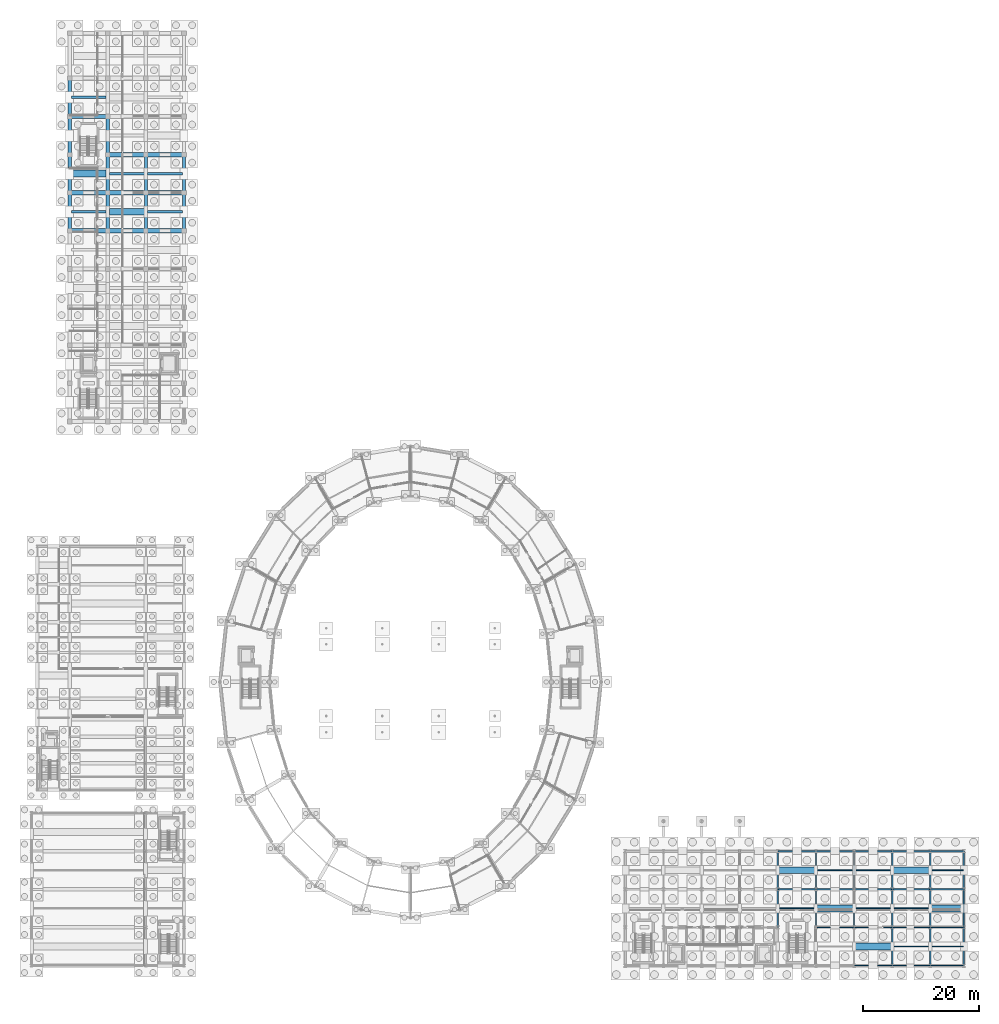
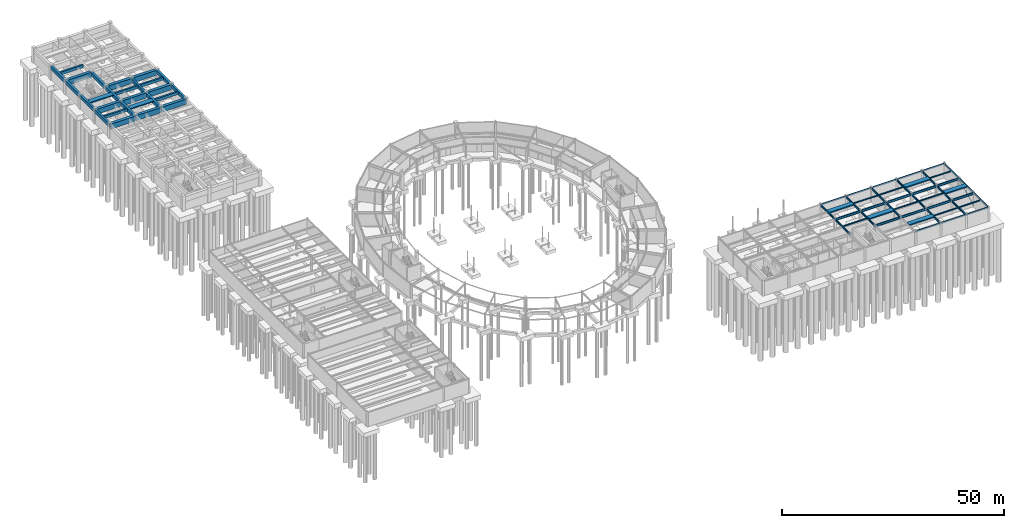
# One storey, part 28 of 58: 72 beams, 1 member.
"""IFC4 building model written with IfcOpenShell, lengths in metres."""

import ifcopenshell
import ifcopenshell.guid

model = None  # the IFC model being written
_history = None  # IfcOwnerHistory: only IFC2X3 demands one
_inside = {}  # id of a spatial element -> (the spatial element, [elements in it])
_under = {}  # id of a project, library or spatial element -> (it, [spatial elements below it])
_declared = {}  # id of a project -> (the project, [libraries it declares])
_typed = {}  # id of a type object -> (the type object, [elements of that type])
_made_of = {}  # id of a material, layer set ... -> (it, [elements and type objects made of it])


def new_model(schema):
    """Start an empty IFC model of exactly this schema.

    Asked for "IFC4X3", IfcOpenShell would pick the latest addendum, in which some entities
    have other attributes; the version numbers below select the first issue.
    IFC2X3 requires an IfcOwnerHistory on every rooted entity: one is made here for all.
    """
    global model, _history
    if schema == "IFC4X3":
        model = ifcopenshell.file(schema_version=(4, 3, 0, 0))
    else:
        model = ifcopenshell.file(schema=schema)
    _inside.clear()
    _under.clear()
    _declared.clear()
    _typed.clear()
    _made_of.clear()
    _history = None
    if model.schema == "IFC2X3":
        org = make("IfcOrganization", Name="unknown")
        user = make(
            "IfcPersonAndOrganization",
            ThePerson=make("IfcPerson", FamilyName="unknown"),
            TheOrganization=org,
        )
        app = make(
            "IfcApplication",
            ApplicationDeveloper=org,
            Version="unknown",
            ApplicationFullName="unknown",
            ApplicationIdentifier="unknown",
        )
        _history = make(
            "IfcOwnerHistory",
            OwningUser=user,
            OwningApplication=app,
            ChangeAction="ADDED",
            CreationDate=0,
        )
    return model


def make(cls, **values):
    """One entity of the class cls with the attributes given. An attribute that is None is left unset."""
    return model.create_entity(
        cls, **{name: value for name, value in values.items() if value is not None}
    )


def rooted(cls, **values):
    """An entity with a GlobalId (a new one), such as an element, a storey or a relation."""
    return make(cls, GlobalId=ifcopenshell.guid.new(), OwnerHistory=_history, **values)


def si_unit(unit_type, name, prefix=None):
    """IfcSIUnit, for example si_unit("LENGTHUNIT", "METRE", prefix="MILLI")."""
    return make("IfcSIUnit", UnitType=unit_type, Prefix=prefix, Name=name)


def assignment(units):
    """IfcUnitAssignment: the units of a project."""
    return None if units is None else make("IfcUnitAssignment", Units=units)


def point(xyz):
    """IfcCartesianPoint."""
    return None if xyz is None else make("IfcCartesianPoint", Coordinates=xyz)


def direction(xyz):
    """IfcDirection."""
    return None if xyz is None else make("IfcDirection", DirectionRatios=xyz)


def frame(location, z_axis=None, x_axis=None):
    """IfcAxis2Placement3D, a coordinate frame: its origin and axes. An axis left out is left unset."""
    return make(
        "IfcAxis2Placement3D",
        Location=point(location),
        Axis=direction(z_axis),
        RefDirection=direction(x_axis),
    )


def frame_2d(location, x_axis=None):
    """IfcAxis2Placement2D, a coordinate frame in the plane: its origin and x axis."""
    return make(
        "IfcAxis2Placement2D", Location=point(location), RefDirection=direction(x_axis)
    )


def origin():
    """The frame at (0, 0, 0) with its axes left unset."""
    return frame((0.0, 0.0, 0.0))


def origin_2d():
    """The frame at (0, 0) in the plane with its x axis left unset."""
    return frame_2d((0.0, 0.0))


def place(relative_to, where):
    """IfcLocalPlacement: puts the frame where relative to a parent placement (None: the world)."""
    return make(
        "IfcLocalPlacement", PlacementRelTo=relative_to, RelativePlacement=where
    )


def context(
    kind, dimensions, precision=None, world=None, true_north=None, identifier=None
):
    """IfcGeometricRepresentationContext, for example the 3D "Model" context."""
    return make(
        "IfcGeometricRepresentationContext",
        ContextIdentifier=identifier,
        ContextType=kind,
        CoordinateSpaceDimension=dimensions,
        Precision=precision,
        WorldCoordinateSystem=world,
        TrueNorth=true_north,
    )


def subcontext(parent, identifier, kind, view, scale=None):
    """IfcGeometricRepresentationSubContext, for example "Body" below "Model"."""
    return make(
        "IfcGeometricRepresentationSubContext",
        ContextIdentifier=identifier,
        ContextType=kind,
        ParentContext=parent,
        TargetScale=scale,
        TargetView=view,
    )


def project(units=None, contexts=None):
    """IfcProject with its units and contexts."""
    return rooted(
        "IfcProject",
        Name="project",
        RepresentationContexts=contexts,
        UnitsInContext=assignment(units),
    )


def spatial(cls, under=None, at=None, **own):
    """A site, building, storey or space (cls), placed at a placement, below another one or the project."""
    s = rooted(cls, ObjectPlacement=at, **own)
    if under is not None:
        _under.setdefault(under.id(), (under, []))[1].append(s)
    return s


def profile(cls, at=None, kind="AREA", **sizes):
    """A parametric profile (cls). Its sizes go by their IFC names, for example OverallWidth=200.0."""
    return make(cls, ProfileType=kind, Position=at, **sizes)


def rectangle(**sizes):
    """IfcRectangleProfileDef."""
    return profile("IfcRectangleProfileDef", **sizes)


def hollow_rectangle(**sizes):
    """IfcRectangleHollowProfileDef."""
    return profile("IfcRectangleHollowProfileDef", **sizes)


def hollow_circle(**sizes):
    """IfcCircleHollowProfileDef."""
    return profile("IfcCircleHollowProfileDef", **sizes)


def i_section(**sizes):
    """IfcIShapeProfileDef."""
    return profile("IfcIShapeProfileDef", **sizes)


def extrude(swept, where, along, depth):
    """IfcExtrudedAreaSolid: the profile swept, set in the frame where, extruded along a direction by depth."""
    return make(
        "IfcExtrudedAreaSolid",
        SweptArea=swept,
        Position=where,
        ExtrudedDirection=direction(along),
        Depth=depth,
    )


def shape(context_of_items, identifier, shape_type, items):
    """IfcShapeRepresentation: the items that make up one representation, for example the "Body"."""
    return make(
        "IfcShapeRepresentation",
        ContextOfItems=context_of_items,
        RepresentationIdentifier=identifier,
        RepresentationType=shape_type,
        Items=items,
    )


def material(Name=None, Category=None):
    """IfcMaterial."""
    return make("IfcMaterial", Name=Name, Category=Category)


def material_profile(
    of_material, cross_section, Name=None, Category=None, Priority=None
):
    """IfcMaterialProfile: a cross section and its material."""
    return make(
        "IfcMaterialProfile",
        Name=Name,
        Material=of_material,
        Profile=cross_section,
        Priority=Priority,
        Category=Category,
    )


def profile_set(profiles, Name=None, composite=None):
    """IfcMaterialProfileSet."""
    return make(
        "IfcMaterialProfileSet",
        Name=Name,
        MaterialProfiles=profiles,
        CompositeProfile=composite,
    )


def made_of(thing, what):
    """Note that an element or type object is made of a material, layer set ...; save() writes the relation."""
    if what is not None:
        _made_of.setdefault(what.id(), (what, []))[1].append(thing)
    return thing


def type_object(cls, material=None, **own):
    """A type object (cls), such as IfcWallType, which elements share."""
    return made_of(rooted(cls, **own), material)


def element(
    cls,
    number,
    at=None,
    inside=None,
    cuts=None,
    type_object=None,
    material=None,
    context=None,
    identifier="Body",
    shape_type=None,
    held_by="IfcProductDefinitionShape",
    body=None,
    shapes=None,
    **own,
):
    """One element of the class cls, such as IfcWall. Its Tag is "e" and its number.

    at: its placement. inside: the storey or other place that contains it. cuts: it is an
    opening in that element (IfcRelVoidsElement). A single representation is given by context,
    identifier, shape_type and body (its items); several are given by shapes. held_by: the class
    of the entity that holds the representations. save() writes the other relations.
    """
    e = rooted(cls, Tag="e%d" % number, ObjectPlacement=at, **own)
    if body is not None:
        shapes = [shape(context, identifier, shape_type, body)]
    if shapes is not None:
        e.Representation = make(held_by, Representations=shapes)
    if inside is not None:
        _inside.setdefault(inside.id(), (inside, []))[1].append(e)
    if cuts is not None:
        rooted(
            "IfcRelVoidsElement", RelatingBuildingElement=cuts, RelatedOpeningElement=e
        )
    if type_object is not None:
        _typed.setdefault(type_object.id(), (type_object, []))[1].append(e)
    return made_of(e, material)


def aggregate(whole, parts):
    """IfcRelAggregates: a whole, such as a stair, and the parts it consists of."""
    return rooted("IfcRelAggregates", RelatingObject=whole, RelatedObjects=parts)


def save(model, path):
    """Write the relations noted so far, then the file.

    IfcRelAggregates (storeys below a building ...), IfcRelContainedInSpatialStructure (elements
    in a storey), IfcRelDefinesByType, IfcRelAssociatesMaterial and IfcRelDeclares: one each for
    every whole, place, type object, material and project.
    """
    for whole, parts in _under.values():
        aggregate(whole, parts)
    for where, things in _inside.values():
        rooted(
            "IfcRelContainedInSpatialStructure",
            RelatedElements=things,
            RelatingStructure=where,
        )
    for kind, things in _typed.values():
        rooted("IfcRelDefinesByType", RelatedObjects=things, RelatingType=kind)
    for what, things in _made_of.values():
        rooted("IfcRelAssociatesMaterial", RelatedObjects=things, RelatingMaterial=what)
    for by, libraries in _declared.values():
        rooted("IfcRelDeclares", RelatingContext=by, RelatedDefinitions=libraries)
    model.write(path)


model = new_model("IFC4")

# Units and contexts
model_context = context("Model", 3, precision=1e-05, world=origin(), true_north=direction((0.0, 1.0)))
body_context = subcontext(model_context, "Body", "Model", "MODEL_VIEW")
ifc_project = project(units=[si_unit("LENGTHUNIT", "METRE"), si_unit("AREAUNIT", "SQUARE_METRE"), si_unit("VOLUMEUNIT", "CUBIC_METRE"), si_unit("PLANEANGLEUNIT", "RADIAN"), si_unit("MASSUNIT", "GRAM", prefix="KILO")], contexts=[model_context])

# Site, building, storey
site_placement = place(None, origin())
site = spatial("IfcSite", under=ifc_project, at=site_placement, CompositionType="ELEMENT")
building_placement = place(site_placement, origin())
building = spatial("IfcBuilding", under=site, at=building_placement, Name="Karori Crest Natural Sciences Institute", CompositionType="ELEMENT")
storey_placement = place(building_placement, frame((0.0, 0.0, -4.199951171875)))
storey = spatial("IfcBuildingStorey", under=building, at=storey_placement, Name="B1", CompositionType="ELEMENT", Elevation=-4.199951171875)

# Beams
ifc_material_1 = material(Name="Structural steel AS/NZS 3679.1 Grade 350", Category="steel")
ifc_material_profile_1 = material_profile(ifc_material_1, i_section(OverallWidth=0.22900390625, OverallDepth=0.612060546875, WebThickness=0.011962890625, FlangeThickness=0.01953125, FilletRadius=0.013916015625, at=origin_2d()), Name="610UB125")
ifc_profile_set_1 = profile_set([ifc_material_profile_1], Name="Structural steel AS/NZS 3679.1 Grade 350")
beam_type_1 = type_object("IfcBeamType", Name="BT-04", PredefinedType="BEAM", material=ifc_profile_set_1)
beam_1_placement = place(storey_placement, frame((136.60009765625, 7.39990234375, 3.614013671875), z_axis=(1.0, 0.0, 0.0), x_axis=(0.0, 1.0, 0.0)))
element("IfcBeam", 1, at=beam_1_placement, inside=storey, type_object=beam_type_1, Name="Beam B-1946", PredefinedType="BEAM", context=body_context, shape_type="SweptSolid", body=[
    extrude(i_section(OverallWidth=0.22900390625, OverallDepth=0.612060546875, WebThickness=0.011962890625, FlangeThickness=0.01953125, FilletRadius=0.013916015625, at=origin_2d()), origin(), (0.0, 0.0, 1.0), 6.599853515625),
])
beam_2_placement = place(storey_placement, frame((143.199951171875, 7.39990234375, 3.614013671875), z_axis=(1.0, 0.0, 0.0), x_axis=(0.0, 1.0, 0.0)))
element("IfcBeam", 2, at=beam_2_placement, inside=storey, type_object=beam_type_1, Name="Beam B-1947", PredefinedType="BEAM", context=body_context, shape_type="SweptSolid", body=[
    extrude(i_section(OverallWidth=0.22900390625, OverallDepth=0.612060546875, WebThickness=0.011962890625, FlangeThickness=0.01953125, FilletRadius=0.013916015625, at=origin_2d()), origin(), (0.0, 0.0, 1.0), 6.60009765625),
])
beam_3_placement = place(storey_placement, frame((149.800048828125, 7.39990234375, 3.614013671875), z_axis=(1.0, 0.0, 0.0), x_axis=(0.0, 1.0, 0.0)))
element("IfcBeam", 3, at=beam_3_placement, inside=storey, type_object=beam_type_1, Name="Beam B-1948", PredefinedType="BEAM", context=body_context, shape_type="SweptSolid", body=[
    extrude(i_section(OverallWidth=0.22900390625, OverallDepth=0.612060546875, WebThickness=0.011962890625, FlangeThickness=0.01953125, FilletRadius=0.013916015625, at=origin_2d()), origin(), (0.0, 0.0, 1.0), 6.599853515625),
])
beam_4_placement = place(storey_placement, frame((156.39990234375, 7.39990234375, 3.614013671875), z_axis=(1.0, 0.0, 0.0), x_axis=(0.0, 1.0, 0.0)))
element("IfcBeam", 4, at=beam_4_placement, inside=storey, type_object=beam_type_1, Name="Beam B-1949", PredefinedType="BEAM", context=body_context, shape_type="SweptSolid", body=[
    extrude(i_section(OverallWidth=0.22900390625, OverallDepth=0.612060546875, WebThickness=0.011962890625, FlangeThickness=0.01953125, FilletRadius=0.013916015625, at=origin_2d()), origin(), (0.0, 0.0, 1.0), 5.800048828125),
])
beam_5_placement = place(storey_placement, frame((130.0, 14.0, 3.614013671875), z_axis=(1.0, 0.0, 0.0), x_axis=(0.0, 1.0, 0.0)))
element("IfcBeam", 5, at=beam_5_placement, inside=storey, type_object=beam_type_1, Name="Beam B-1954", PredefinedType="BEAM", context=body_context, shape_type="SweptSolid", body=[
    extrude(i_section(OverallWidth=0.22900390625, OverallDepth=0.612060546875, WebThickness=0.011962890625, FlangeThickness=0.01953125, FilletRadius=0.013916015625, at=origin_2d()), origin(), (0.0, 0.0, 1.0), 6.60009765625),
])
beam_6_placement = place(storey_placement, frame((136.60009765625, 14.0, 3.614013671875), z_axis=(1.0, 0.0, 0.0), x_axis=(0.0, 1.0, 0.0)))
element("IfcBeam", 6, at=beam_6_placement, inside=storey, type_object=beam_type_1, Name="Beam B-1955", PredefinedType="BEAM", context=body_context, shape_type="SweptSolid", body=[
    extrude(i_section(OverallWidth=0.22900390625, OverallDepth=0.612060546875, WebThickness=0.011962890625, FlangeThickness=0.01953125, FilletRadius=0.013916015625, at=origin_2d()), origin(), (0.0, 0.0, 1.0), 6.599853515625),
])
beam_7_placement = place(storey_placement, frame((143.199951171875, 14.0, 3.614013671875), z_axis=(1.0, 0.0, 0.0), x_axis=(0.0, 1.0, 0.0)))
element("IfcBeam", 7, at=beam_7_placement, inside=storey, type_object=beam_type_1, Name="Beam B-1956", PredefinedType="BEAM", context=body_context, shape_type="SweptSolid", body=[
    extrude(i_section(OverallWidth=0.22900390625, OverallDepth=0.612060546875, WebThickness=0.011962890625, FlangeThickness=0.01953125, FilletRadius=0.013916015625, at=origin_2d()), origin(), (0.0, 0.0, 1.0), 6.60009765625),
])
beam_8_placement = place(storey_placement, frame((149.800048828125, 14.0, 3.614013671875), z_axis=(1.0, 0.0, 0.0), x_axis=(0.0, 1.0, 0.0)))
element("IfcBeam", 8, at=beam_8_placement, inside=storey, type_object=beam_type_1, Name="Beam B-1957", PredefinedType="BEAM", context=body_context, shape_type="SweptSolid", body=[
    extrude(i_section(OverallWidth=0.22900390625, OverallDepth=0.612060546875, WebThickness=0.011962890625, FlangeThickness=0.01953125, FilletRadius=0.013916015625, at=origin_2d()), origin(), (0.0, 0.0, 1.0), 6.599853515625),
])
beam_9_placement = place(storey_placement, frame((156.39990234375, 14.0, 3.614013671875), z_axis=(1.0, 0.0, 0.0), x_axis=(0.0, 1.0, 0.0)))
element("IfcBeam", 9, at=beam_9_placement, inside=storey, type_object=beam_type_1, Name="Beam B-1958", PredefinedType="BEAM", context=body_context, shape_type="SweptSolid", body=[
    extrude(i_section(OverallWidth=0.22900390625, OverallDepth=0.612060546875, WebThickness=0.011962890625, FlangeThickness=0.01953125, FilletRadius=0.013916015625, at=origin_2d()), origin(), (0.0, 0.0, 1.0), 5.800048828125),
])
ifc_material_profile_2 = material_profile(ifc_material_1, i_section(OverallWidth=0.208984375, OverallDepth=0.532958984375, WebThickness=0.01025390625, FlangeThickness=0.015625, FilletRadius=0.013916015625, at=origin_2d()), Name="530UB92.4")
ifc_profile_set_2 = profile_set([ifc_material_profile_2], Name="Structural steel AS/NZS 3679.1 Grade 350")
beam_type_2 = type_object("IfcBeamType", Name="BT-05", PredefinedType="BEAM", material=ifc_profile_set_2)
for number, where, z_axis, x_axis, name in (
    (10, (130.0, 7.39990234375, 3.653564453125), (0.0, 1.0, 0.0), (-1.0, 0.0, 0.0), "Beam B-1981"),
    (11, (130.0, 14.0, 3.653564453125), (0.0, 1.0, 0.0), (-1.0, 0.0, 0.0), "Beam B-1982"),
    (12, (136.60009765625, 7.39990234375, 3.653564453125), (0.0, 1.0, 0.0), (-1.0, 0.0, 0.0), "Beam B-1984"),
    (13, (136.60009765625, 14.0, 3.653564453125), (0.0, 1.0, 0.0), (-1.0, 0.0, 0.0), "Beam B-1985"),
    (14, (143.199951171875, 7.39990234375, 3.653564453125), (0.0, 1.0, 0.0), (-1.0, 0.0, 0.0), "Beam B-1987"),
    (15, (143.199951171875, 14.0, 3.653564453125), (0.0, 1.0, 0.0), (-1.0, 0.0, 0.0), "Beam B-1988"),
):
    element("IfcBeam", number, at=place(storey_placement, frame(where, z_axis=z_axis, x_axis=x_axis)), inside=storey, type_object=beam_type_2, Name=name, PredefinedType="BEAM", context=body_context, shape_type="SweptSolid", body=[
        extrude(i_section(OverallWidth=0.208984375, OverallDepth=0.532958984375, WebThickness=0.01025390625, FlangeThickness=0.015625, FilletRadius=0.013916015625, at=origin_2d()), origin(), (0.0, 0.0, 1.0), 6.60009765625),
    ])
beam_10_placement = place(storey_placement, frame((149.800048828125, 0.800048828125, 3.653564453125), z_axis=(0.0, 1.0, 0.0), x_axis=(-1.0, 0.0, 0.0)))
element("IfcBeam", 16, at=beam_10_placement, inside=storey, type_object=beam_type_2, Name="Beam B-1989", PredefinedType="BEAM", context=body_context, shape_type="SweptSolid", body=[
    extrude(i_section(OverallWidth=0.208984375, OverallDepth=0.532958984375, WebThickness=0.01025390625, FlangeThickness=0.015625, FilletRadius=0.013916015625, at=origin_2d()), origin(), (0.0, 0.0, 1.0), 6.599853515625),
])
for number, where, z_axis, x_axis, name in (
    (17, (149.800048828125, 7.39990234375, 3.653564453125), (0.0, 1.0, 0.0), (-1.0, 0.0, 0.0), "Beam B-1990"),
    (18, (149.800048828125, 14.0, 3.653564453125), (0.0, 1.0, 0.0), (-1.0, 0.0, 0.0), "Beam B-1991"),
):
    element("IfcBeam", number, at=place(storey_placement, frame(where, z_axis=z_axis, x_axis=x_axis)), inside=storey, type_object=beam_type_2, Name=name, PredefinedType="BEAM", context=body_context, shape_type="SweptSolid", body=[
        extrude(i_section(OverallWidth=0.208984375, OverallDepth=0.532958984375, WebThickness=0.01025390625, FlangeThickness=0.015625, FilletRadius=0.013916015625, at=origin_2d()), origin(), (0.0, 0.0, 1.0), 6.60009765625),
    ])
beam_11_placement = place(storey_placement, frame((156.39990234375, 0.800048828125, 3.653564453125), z_axis=(0.0, 1.0, 0.0), x_axis=(-1.0, 0.0, 0.0)))
element("IfcBeam", 19, at=beam_11_placement, inside=storey, type_object=beam_type_2, Name="Beam B-1992", PredefinedType="BEAM", context=body_context, shape_type="SweptSolid", body=[
    extrude(i_section(OverallWidth=0.208984375, OverallDepth=0.532958984375, WebThickness=0.01025390625, FlangeThickness=0.015625, FilletRadius=0.013916015625, at=origin_2d()), origin(), (0.0, 0.0, 1.0), 6.599853515625),
])
for number, where, z_axis, x_axis, name in (
    (20, (156.39990234375, 7.39990234375, 3.653564453125), (0.0, 1.0, 0.0), (-1.0, 0.0, 0.0), "Beam B-1993"),
    (21, (156.39990234375, 14.0, 3.653564453125), (0.0, 1.0, 0.0), (-1.0, 0.0, 0.0), "Beam B-1994"),
):
    element("IfcBeam", number, at=place(storey_placement, frame(where, z_axis=z_axis, x_axis=x_axis)), inside=storey, type_object=beam_type_2, Name=name, PredefinedType="BEAM", context=body_context, shape_type="SweptSolid", body=[
        extrude(i_section(OverallWidth=0.208984375, OverallDepth=0.532958984375, WebThickness=0.01025390625, FlangeThickness=0.015625, FilletRadius=0.013916015625, at=origin_2d()), origin(), (0.0, 0.0, 1.0), 6.60009765625),
    ])
ifc_material_profile_3 = material_profile(ifc_material_1, i_section(OverallWidth=0.208984375, OverallDepth=0.532958984375, WebThickness=0.01025390625, FlangeThickness=0.015625, FilletRadius=0.013916015625, at=origin_2d()), Name="530UB92.4")
ifc_profile_set_3 = profile_set([ifc_material_profile_3], Name="Structural steel AS/NZS 3679.1 Grade 350")
beam_type_3 = type_object("IfcBeamType", Name="BT-05-EL", PredefinedType="BEAM", material=ifc_profile_set_3)
beam_12_placement = place(storey_placement, frame((162.199951171875, 0.800048828125, 3.653564453125), z_axis=(0.0, 1.0, 0.0), x_axis=(-1.0, 0.0, 0.0)))
element("IfcBeam", 22, at=beam_12_placement, inside=storey, type_object=beam_type_3, Name="Beam B-1995", PredefinedType="BEAM", context=body_context, shape_type="SweptSolid", body=[
    extrude(i_section(OverallWidth=0.208984375, OverallDepth=0.532958984375, WebThickness=0.01025390625, FlangeThickness=0.015625, FilletRadius=0.013916015625, at=origin_2d()), origin(), (0.0, 0.0, 1.0), 6.599853515625),
])
for number, where, z_axis, x_axis, name in (
    (23, (162.199951171875, 7.39990234375, 3.653564453125), (0.0, 1.0, 0.0), (-1.0, 0.0, 0.0), "Beam B-1996"),
    (24, (162.199951171875, 14.0, 3.653564453125), (0.0, 1.0, 0.0), (-1.0, 0.0, 0.0), "Beam B-1997"),
):
    element("IfcBeam", number, at=place(storey_placement, frame(where, z_axis=z_axis, x_axis=x_axis)), inside=storey, type_object=beam_type_3, Name=name, PredefinedType="BEAM", context=body_context, shape_type="SweptSolid", body=[
        extrude(i_section(OverallWidth=0.208984375, OverallDepth=0.532958984375, WebThickness=0.01025390625, FlangeThickness=0.015625, FilletRadius=0.013916015625, at=origin_2d()), origin(), (0.0, 0.0, 1.0), 6.60009765625),
    ])
ifc_material_profile_4 = material_profile(ifc_material_1, i_section(OverallWidth=0.172119140625, OverallDepth=0.35888671875, WebThickness=0.008056640625, FlangeThickness=0.012939453125, FilletRadius=0.010986328125, at=origin_2d()), Name="360UB56.7")
ifc_profile_set_4 = profile_set([ifc_material_profile_4], Name="Structural steel AS/NZS 3679.1 Grade 350")
beam_type_4 = type_object("IfcBeamType", Name="BT-08", PredefinedType="BEAM", material=ifc_profile_set_4)
beam_13_placement = place(storey_placement, frame((130.1044921875, 10.699951171875, 3.740478515625), z_axis=(1.0, 0.0, 0.0), x_axis=(0.0, 1.0, 0.0)))
element("IfcBeam", 25, at=beam_13_placement, inside=storey, type_object=beam_type_4, Name="Beam B-2007", PredefinedType="BEAM", context=body_context, shape_type="SweptSolid", body=[
    extrude(i_section(OverallWidth=0.172119140625, OverallDepth=0.35888671875, WebThickness=0.008056640625, FlangeThickness=0.012939453125, FilletRadius=0.010986328125, at=origin_2d()), origin(), (0.0, 0.0, 1.0), 6.39111328125),
])
beam_14_placement = place(storey_placement, frame((136.70458984375, 17.300048828125, 3.740478515625), z_axis=(1.0, 0.0, 0.0), x_axis=(0.0, 1.0, 0.0)))
element("IfcBeam", 26, at=beam_14_placement, inside=storey, type_object=beam_type_4, Name="Beam B-2011", PredefinedType="BEAM", context=body_context, shape_type="SweptSolid", body=[
    extrude(i_section(OverallWidth=0.172119140625, OverallDepth=0.35888671875, WebThickness=0.008056640625, FlangeThickness=0.012939453125, FilletRadius=0.010986328125, at=origin_2d()), origin(), (0.0, 0.0, 1.0), 6.390869140625),
])
for number, where, z_axis, x_axis, name in (
    (27, (143.304443359375, 10.699951171875, 3.740478515625), (1.0, 0.0, 0.0), (0.0, 1.0, 0.0), "Beam B-2013"),
    (28, (143.304443359375, 17.300048828125, 3.740478515625), (1.0, 0.0, 0.0), (0.0, 1.0, 0.0), "Beam B-2014"),
):
    element("IfcBeam", number, at=place(storey_placement, frame(where, z_axis=z_axis, x_axis=x_axis)), inside=storey, type_object=beam_type_4, Name=name, PredefinedType="BEAM", context=body_context, shape_type="SweptSolid", body=[
        extrude(i_section(OverallWidth=0.172119140625, OverallDepth=0.35888671875, WebThickness=0.008056640625, FlangeThickness=0.012939453125, FilletRadius=0.010986328125, at=origin_2d()), origin(), (0.0, 0.0, 1.0), 6.39111328125),
    ])
for number, where, z_axis, x_axis, name in (
    (29, (149.904541015625, 4.10009765625, 3.740478515625), (1.0, 0.0, 0.0), (0.0, 1.0, 0.0), "Beam B-2015"),
    (30, (149.904541015625, 10.699951171875, 3.740478515625), (1.0, 0.0, 0.0), (0.0, 1.0, 0.0), "Beam B-2016"),
):
    element("IfcBeam", number, at=place(storey_placement, frame(where, z_axis=z_axis, x_axis=x_axis)), inside=storey, type_object=beam_type_4, Name=name, PredefinedType="BEAM", context=body_context, shape_type="SweptSolid", body=[
        extrude(i_section(OverallWidth=0.172119140625, OverallDepth=0.35888671875, WebThickness=0.008056640625, FlangeThickness=0.012939453125, FilletRadius=0.010986328125, at=origin_2d()), origin(), (0.0, 0.0, 1.0), 6.390869140625),
    ])
for number, where, z_axis, x_axis, name in (
    (31, (156.50439453125, 4.10009765625, 3.740478515625), (1.0, 0.0, 0.0), (0.0, 1.0, 0.0), "Beam B-2018"),
    (32, (156.50439453125, 17.300048828125, 3.740478515625), (1.0, 0.0, 0.0), (0.0, 1.0, 0.0), "Beam B-2020"),
):
    element("IfcBeam", number, at=place(storey_placement, frame(where, z_axis=z_axis, x_axis=x_axis)), inside=storey, type_object=beam_type_4, Name=name, PredefinedType="BEAM", context=body_context, shape_type="SweptSolid", body=[
        extrude(i_section(OverallWidth=0.172119140625, OverallDepth=0.35888671875, WebThickness=0.008056640625, FlangeThickness=0.012939453125, FilletRadius=0.010986328125, at=origin_2d()), origin(), (0.0, 0.0, 1.0), 5.591064453125),
    ])
ifc_material_2 = material(Name="Hollow structural steel AS/NZS 1163 Grade C350", Category="steel")
ifc_material_profile_5 = material_profile(ifc_material_2, hollow_rectangle(XDim=0.199951171875, YDim=0.39990234375, WallThickness=0.012451171875, at=origin_2d()), Name="RHS400x200x12.5")
ifc_profile_set_5 = profile_set([ifc_material_profile_5], Name="Hollow structural steel AS/NZS 1163 Grade C350")
beam_type_5 = type_object("IfcBeamType", Name="BT-14", PredefinedType="SPANDREL", material=ifc_profile_set_5)
beam_15_placement = place(storey_placement, frame((143.199951171875, 0.800048828125, 3.719970703125), z_axis=(1.0, 0.0, 0.0), x_axis=(0.0, 1.0, 0.0)))
element("IfcBeam", 33, at=beam_15_placement, inside=storey, type_object=beam_type_5, Name="Beam B-1940", PredefinedType="SPANDREL", context=body_context, shape_type="SweptSolid", body=[
    extrude(hollow_rectangle(XDim=0.199951171875, YDim=0.39990234375, WallThickness=0.012451171875, at=origin_2d()), origin(), (0.0, 0.0, 1.0), 6.60009765625),
])
beam_16_placement = place(storey_placement, frame((149.800048828125, 0.800048828125, 3.719970703125), z_axis=(1.0, 0.0, 0.0), x_axis=(0.0, 1.0, 0.0)))
element("IfcBeam", 34, at=beam_16_placement, inside=storey, type_object=beam_type_5, Name="Beam B-1941", PredefinedType="SPANDREL", context=body_context, shape_type="SweptSolid", body=[
    extrude(hollow_rectangle(XDim=0.199951171875, YDim=0.39990234375, WallThickness=0.012451171875, at=origin_2d()), origin(), (0.0, 0.0, 1.0), 6.599853515625),
])
beam_17_placement = place(storey_placement, frame((156.39990234375, 0.800048828125, 3.719970703125), z_axis=(1.0, 0.0, 0.0), x_axis=(0.0, 1.0, 0.0)))
element("IfcBeam", 35, at=beam_17_placement, inside=storey, type_object=beam_type_5, Name="Beam B-1942", PredefinedType="SPANDREL", context=body_context, shape_type="SweptSolid", body=[
    extrude(hollow_rectangle(XDim=0.199951171875, YDim=0.39990234375, WallThickness=0.012451171875, at=origin_2d()), origin(), (0.0, 0.0, 1.0), 5.800048828125),
])
beam_18_placement = place(storey_placement, frame((130.0, 20.60009765625, 3.719970703125), z_axis=(1.0, 0.0, 0.0), x_axis=(0.0, 1.0, 0.0)))
element("IfcBeam", 36, at=beam_18_placement, inside=storey, type_object=beam_type_5, Name="Beam B-1963", PredefinedType="SPANDREL", context=body_context, shape_type="SweptSolid", body=[
    extrude(hollow_rectangle(XDim=0.199951171875, YDim=0.39990234375, WallThickness=0.012451171875, at=origin_2d()), origin(), (0.0, 0.0, 1.0), 6.60009765625),
])
beam_19_placement = place(storey_placement, frame((136.60009765625, 20.60009765625, 3.719970703125), z_axis=(1.0, 0.0, 0.0), x_axis=(0.0, 1.0, 0.0)))
element("IfcBeam", 37, at=beam_19_placement, inside=storey, type_object=beam_type_5, Name="Beam B-1964", PredefinedType="SPANDREL", context=body_context, shape_type="SweptSolid", body=[
    extrude(hollow_rectangle(XDim=0.199951171875, YDim=0.39990234375, WallThickness=0.012451171875, at=origin_2d()), origin(), (0.0, 0.0, 1.0), 6.599853515625),
])
beam_20_placement = place(storey_placement, frame((143.199951171875, 20.60009765625, 3.719970703125), z_axis=(1.0, 0.0, 0.0), x_axis=(0.0, 1.0, 0.0)))
element("IfcBeam", 38, at=beam_20_placement, inside=storey, type_object=beam_type_5, Name="Beam B-1965", PredefinedType="SPANDREL", context=body_context, shape_type="SweptSolid", body=[
    extrude(hollow_rectangle(XDim=0.199951171875, YDim=0.39990234375, WallThickness=0.012451171875, at=origin_2d()), origin(), (0.0, 0.0, 1.0), 6.60009765625),
])
beam_21_placement = place(storey_placement, frame((149.800048828125, 20.60009765625, 3.719970703125), z_axis=(1.0, 0.0, 0.0), x_axis=(0.0, 1.0, 0.0)))
element("IfcBeam", 39, at=beam_21_placement, inside=storey, type_object=beam_type_5, Name="Beam B-1966", PredefinedType="SPANDREL", context=body_context, shape_type="SweptSolid", body=[
    extrude(hollow_rectangle(XDim=0.199951171875, YDim=0.39990234375, WallThickness=0.012451171875, at=origin_2d()), origin(), (0.0, 0.0, 1.0), 6.599853515625),
])
beam_22_placement = place(storey_placement, frame((156.39990234375, 20.60009765625, 3.719970703125), z_axis=(1.0, 0.0, 0.0), x_axis=(0.0, 1.0, 0.0)))
element("IfcBeam", 40, at=beam_22_placement, inside=storey, type_object=beam_type_5, Name="Beam B-1967", PredefinedType="SPANDREL", context=body_context, shape_type="SweptSolid", body=[
    extrude(hollow_rectangle(XDim=0.199951171875, YDim=0.39990234375, WallThickness=0.012451171875, at=origin_2d()), origin(), (0.0, 0.0, 1.0), 5.800048828125),
])
ifc_material_3 = material(Name="Concrete 50 MPa", Category="concrete")
ifc_material_profile_6 = material_profile(ifc_material_3, rectangle(XDim=0.75, YDim=1.39990234375, at=origin_2d()), Name="RCB750x1400")
ifc_profile_set_6 = profile_set([ifc_material_profile_6], Name="Concrete 50 MPa")
beam_type_6 = type_object("IfcBeamType", Name="BT-17-IL", PredefinedType="BEAM", material=ifc_profile_set_6)
for number, where, z_axis, x_axis, name in (
    (41, (7.39990234375, 128.0, 3.14990234375), (1.0, 0.0, 0.0), (0.0, 1.0, 0.0), "Beam B-1264"),
    (42, (14.0, 128.0, 3.14990234375), (1.0, 0.0, 0.0), (0.0, 1.0, 0.0), "Beam B-1265"),
):
    element("IfcBeam", number, at=place(storey_placement, frame(where, z_axis=z_axis, x_axis=x_axis)), inside=storey, type_object=beam_type_6, Name=name, PredefinedType="BEAM", context=body_context, shape_type="SweptSolid", body=[
        extrude(rectangle(XDim=0.75, YDim=1.39990234375, at=origin_2d()), origin(), (0.0, 0.0, 1.0), 6.60009765625),
    ])
beam_23_placement = place(storey_placement, frame((20.60009765625, 128.0, 3.14990234375), z_axis=(1.0, 0.0, 0.0), x_axis=(0.0, 1.0, 0.0)))
element("IfcBeam", 43, at=beam_23_placement, inside=storey, type_object=beam_type_6, Name="Beam B-1266", PredefinedType="BEAM", context=body_context, shape_type="SweptSolid", body=[
    extrude(rectangle(XDim=0.75, YDim=1.39990234375, at=origin_2d()), origin(), (0.0, 0.0, 1.0), 6.599853515625),
])
for number, where, z_axis, x_axis, name in (
    (44, (7.39990234375, 134.60009765625, 3.14990234375), (1.0, 0.0, 0.0), (0.0, 1.0, 0.0), "Beam B-1267"),
    (45, (14.0, 134.60009765625, 3.14990234375), (1.0, 0.0, 0.0), (0.0, 1.0, 0.0), "Beam B-1268"),
):
    element("IfcBeam", number, at=place(storey_placement, frame(where, z_axis=z_axis, x_axis=x_axis)), inside=storey, type_object=beam_type_6, Name=name, PredefinedType="BEAM", context=body_context, shape_type="SweptSolid", body=[
        extrude(rectangle(XDim=0.75, YDim=1.39990234375, at=origin_2d()), origin(), (0.0, 0.0, 1.0), 6.60009765625),
    ])
beam_24_placement = place(storey_placement, frame((20.60009765625, 134.60009765625, 3.14990234375), z_axis=(1.0, 0.0, 0.0), x_axis=(0.0, 1.0, 0.0)))
element("IfcBeam", 46, at=beam_24_placement, inside=storey, type_object=beam_type_6, Name="Beam B-1269", PredefinedType="BEAM", context=body_context, shape_type="SweptSolid", body=[
    extrude(rectangle(XDim=0.75, YDim=1.39990234375, at=origin_2d()), origin(), (0.0, 0.0, 1.0), 6.599853515625),
])
beam_25_placement = place(storey_placement, frame((14.0, 141.199951171875, 3.14990234375), z_axis=(1.0, 0.0, 0.0), x_axis=(0.0, 1.0, 0.0)))
element("IfcBeam", 47, at=beam_25_placement, inside=storey, type_object=beam_type_6, Name="Beam B-1270", PredefinedType="BEAM", context=body_context, shape_type="SweptSolid", body=[
    extrude(rectangle(XDim=0.75, YDim=1.39990234375, at=origin_2d()), origin(), (0.0, 0.0, 1.0), 6.60009765625),
])
beam_26_placement = place(storey_placement, frame((20.60009765625, 141.199951171875, 3.14990234375), z_axis=(1.0, 0.0, 0.0), x_axis=(0.0, 1.0, 0.0)))
element("IfcBeam", 48, at=beam_26_placement, inside=storey, type_object=beam_type_6, Name="Beam B-1271", PredefinedType="BEAM", context=body_context, shape_type="SweptSolid", body=[
    extrude(rectangle(XDim=0.75, YDim=1.39990234375, at=origin_2d()), origin(), (0.0, 0.0, 1.0), 6.599853515625),
])
beam_27_placement = place(storey_placement, frame((7.39990234375, 147.800048828125, 3.14990234375), z_axis=(1.0, 0.0, 0.0), x_axis=(0.0, 1.0, 0.0)))
element("IfcBeam", 49, at=beam_27_placement, inside=storey, type_object=beam_type_6, Name="Beam B-1272", PredefinedType="BEAM", context=body_context, shape_type="SweptSolid", body=[
    extrude(rectangle(XDim=0.75, YDim=1.39990234375, at=origin_2d()), origin(), (0.0, 0.0, 1.0), 6.60009765625),
])
ifc_material_4 = material(Name="Concrete 40 MPa", Category="concrete")
ifc_material_profile_7 = material_profile(ifc_material_4, rectangle(XDim=1.199951171875, YDim=0.300048828125, at=origin_2d()), Name="HCP1200x300")
ifc_profile_set_7 = profile_set([ifc_material_profile_7], Name="Concrete 40 MPa")
beam_type_7 = type_object("IfcBeamType", Name="BT-25", PredefinedType="HOLLOWCORE", material=ifc_profile_set_7)
for number, where, z_axis, x_axis, name in (
    (50, (7.675048828125, 137.89990234375, 3.699951171875), (1.0, 0.0, 0.0), (0.0, 1.0, 0.0), "Beam B-1325"),
    (51, (14.27490234375, 131.300048828125, 3.699951171875), (1.0, 0.0, 0.0), (0.0, 1.0, 0.0), "Beam B-1333"),
):
    element("IfcBeam", number, at=place(storey_placement, frame(where, z_axis=z_axis, x_axis=x_axis)), inside=storey, type_object=beam_type_7, Name=name, PredefinedType="HOLLOWCORE", context=body_context, shape_type="SweptSolid", body=[
        extrude(rectangle(XDim=1.199951171875, YDim=0.300048828125, at=origin_2d()), origin(), (0.0, 0.0, 1.0), 6.050048828125),
    ])
beam_28_placement = place(storey_placement, frame((130.1044921875, 17.300048828125, 3.77001953125), z_axis=(1.0, 0.0, 0.0), x_axis=(0.0, 1.0, 0.0)))
element("IfcBeam", 52, at=beam_28_placement, inside=storey, type_object=beam_type_7, Name="Beam B-2008", PredefinedType="HOLLOWCORE", context=body_context, shape_type="SweptSolid", body=[
    extrude(rectangle(XDim=1.199951171875, YDim=0.300048828125, at=origin_2d()), origin(), (0.0, 0.0, 1.0), 6.39111328125),
])
beam_29_placement = place(storey_placement, frame((136.70458984375, 10.699951171875, 3.77001953125), z_axis=(1.0, 0.0, 0.0), x_axis=(0.0, 1.0, 0.0)))
element("IfcBeam", 53, at=beam_29_placement, inside=storey, type_object=beam_type_7, Name="Beam B-2010", PredefinedType="HOLLOWCORE", context=body_context, shape_type="SweptSolid", body=[
    extrude(rectangle(XDim=1.199951171875, YDim=0.300048828125, at=origin_2d()), origin(), (0.0, 0.0, 1.0), 6.390869140625),
])
beam_30_placement = place(storey_placement, frame((143.304443359375, 4.10009765625, 3.77001953125), z_axis=(1.0, 0.0, 0.0), x_axis=(0.0, 1.0, 0.0)))
element("IfcBeam", 54, at=beam_30_placement, inside=storey, type_object=beam_type_7, Name="Beam B-2012", PredefinedType="HOLLOWCORE", context=body_context, shape_type="SweptSolid", body=[
    extrude(rectangle(XDim=1.199951171875, YDim=0.300048828125, at=origin_2d()), origin(), (0.0, 0.0, 1.0), 6.39111328125),
])
beam_31_placement = place(storey_placement, frame((149.904541015625, 17.300048828125, 3.77001953125), z_axis=(1.0, 0.0, 0.0), x_axis=(0.0, 1.0, 0.0)))
element("IfcBeam", 55, at=beam_31_placement, inside=storey, type_object=beam_type_7, Name="Beam B-2017", PredefinedType="HOLLOWCORE", context=body_context, shape_type="SweptSolid", body=[
    extrude(rectangle(XDim=1.199951171875, YDim=0.300048828125, at=origin_2d()), origin(), (0.0, 0.0, 1.0), 6.390869140625),
])
beam_32_placement = place(storey_placement, frame((156.50439453125, 10.699951171875, 3.77001953125), z_axis=(1.0, 0.0, 0.0), x_axis=(0.0, 1.0, 0.0)))
element("IfcBeam", 56, at=beam_32_placement, inside=storey, type_object=beam_type_7, Name="Beam B-2019", PredefinedType="HOLLOWCORE", context=body_context, shape_type="SweptSolid", body=[
    extrude(rectangle(XDim=1.199951171875, YDim=0.300048828125, at=origin_2d()), origin(), (0.0, 0.0, 1.0), 5.591064453125),
])
ifc_material_profile_8 = material_profile(ifc_material_3, rectangle(XDim=0.550048828125, YDim=0.949951171875, at=origin_2d()), Name="RCB550x950")
ifc_profile_set_8 = profile_set([ifc_material_profile_8], Name="Concrete 50 MPa")
beam_type_8 = type_object("IfcBeamType", Name="BT-34", PredefinedType="BEAM", material=ifc_profile_set_8)
beam_33_placement = place(storey_placement, frame((7.39990234375, 128.0, 3.375), z_axis=(0.0, 1.0, 0.0), x_axis=(-1.0, 0.0, 0.0)))
element("IfcBeam", 57, at=beam_33_placement, inside=storey, type_object=beam_type_8, Name="Beam B-1286", PredefinedType="BEAM", context=body_context, shape_type="SweptSolid", body=[
    extrude(rectangle(XDim=0.550048828125, YDim=0.949951171875, at=origin_2d()), origin(), (0.0, 0.0, 1.0), 6.60009765625),
])
beam_34_placement = place(storey_placement, frame((7.39990234375, 134.60009765625, 3.375), z_axis=(0.0, 1.0, 0.0), x_axis=(-1.0, 0.0, 0.0)))
element("IfcBeam", 58, at=beam_34_placement, inside=storey, type_object=beam_type_8, Name="Beam B-1287", PredefinedType="BEAM", context=body_context, shape_type="SweptSolid", body=[
    extrude(rectangle(XDim=0.550048828125, YDim=0.949951171875, at=origin_2d()), origin(), (0.0, 0.0, 1.0), 6.599853515625),
])
beam_35_placement = place(storey_placement, frame((7.39990234375, 141.199951171875, 3.375), z_axis=(0.0, 1.0, 0.0), x_axis=(-1.0, 0.0, 0.0)))
element("IfcBeam", 59, at=beam_35_placement, inside=storey, type_object=beam_type_8, Name="Beam B-1288", PredefinedType="BEAM", context=body_context, shape_type="SweptSolid", body=[
    extrude(rectangle(XDim=0.550048828125, YDim=0.949951171875, at=origin_2d()), origin(), (0.0, 0.0, 1.0), 6.60009765625),
])
beam_36_placement = place(storey_placement, frame((7.39990234375, 147.800048828125, 3.375), z_axis=(0.0, 1.0, 0.0), x_axis=(-1.0, 0.0, 0.0)))
element("IfcBeam", 60, at=beam_36_placement, inside=storey, type_object=beam_type_8, Name="Beam B-1289", PredefinedType="BEAM", context=body_context, shape_type="SweptSolid", body=[
    extrude(rectangle(XDim=0.550048828125, YDim=0.949951171875, at=origin_2d()), origin(), (0.0, 0.0, 1.0), 6.599853515625),
])
beam_37_placement = place(storey_placement, frame((27.199951171875, 128.0, 3.375), z_axis=(0.0, 1.0, 0.0), x_axis=(-1.0, 0.0, 0.0)))
element("IfcBeam", 61, at=beam_37_placement, inside=storey, type_object=beam_type_8, Name="Beam B-1316", PredefinedType="BEAM", context=body_context, shape_type="SweptSolid", body=[
    extrude(rectangle(XDim=0.550048828125, YDim=0.949951171875, at=origin_2d()), origin(), (0.0, 0.0, 1.0), 6.60009765625),
])
beam_38_placement = place(storey_placement, frame((27.199951171875, 134.60009765625, 3.375), z_axis=(0.0, 1.0, 0.0), x_axis=(-1.0, 0.0, 0.0)))
element("IfcBeam", 62, at=beam_38_placement, inside=storey, type_object=beam_type_8, Name="Beam B-1317", PredefinedType="BEAM", context=body_context, shape_type="SweptSolid", body=[
    extrude(rectangle(XDim=0.550048828125, YDim=0.949951171875, at=origin_2d()), origin(), (0.0, 0.0, 1.0), 6.599853515625),
])
ifc_material_profile_9 = material_profile(ifc_material_3, rectangle(XDim=0.550048828125, YDim=0.949951171875, at=origin_2d()), Name="RCB550x950")
ifc_profile_set_9 = profile_set([ifc_material_profile_9], Name="Concrete 50 MPa")
beam_type_9 = type_object("IfcBeamType", Name="BT-34-IL", PredefinedType="BEAM", material=ifc_profile_set_9)
beam_39_placement = place(storey_placement, frame((14.0, 128.0, 3.375), z_axis=(0.0, 1.0, 0.0), x_axis=(-1.0, 0.0, 0.0)))
element("IfcBeam", 63, at=beam_39_placement, inside=storey, type_object=beam_type_9, Name="Beam B-1296", PredefinedType="BEAM", context=body_context, shape_type="SweptSolid", body=[
    extrude(rectangle(XDim=0.550048828125, YDim=0.949951171875, at=origin_2d()), origin(), (0.0, 0.0, 1.0), 6.60009765625),
])
beam_40_placement = place(storey_placement, frame((14.0, 134.60009765625, 3.375), z_axis=(0.0, 1.0, 0.0), x_axis=(-1.0, 0.0, 0.0)))
element("IfcBeam", 64, at=beam_40_placement, inside=storey, type_object=beam_type_9, Name="Beam B-1297", PredefinedType="BEAM", context=body_context, shape_type="SweptSolid", body=[
    extrude(rectangle(XDim=0.550048828125, YDim=0.949951171875, at=origin_2d()), origin(), (0.0, 0.0, 1.0), 6.599853515625),
])
for number, where, z_axis, x_axis, name in (
    (65, (14.0, 141.199951171875, 3.375), (0.0, 1.0, 0.0), (-1.0, 0.0, 0.0), "Beam B-1298"),
    (66, (20.60009765625, 128.0, 3.375), (0.0, 1.0, 0.0), (-1.0, 0.0, 0.0), "Beam B-1306"),
):
    element("IfcBeam", number, at=place(storey_placement, frame(where, z_axis=z_axis, x_axis=x_axis)), inside=storey, type_object=beam_type_9, Name=name, PredefinedType="BEAM", context=body_context, shape_type="SweptSolid", body=[
        extrude(rectangle(XDim=0.550048828125, YDim=0.949951171875, at=origin_2d()), origin(), (0.0, 0.0, 1.0), 6.60009765625),
    ])
beam_41_placement = place(storey_placement, frame((20.60009765625, 134.60009765625, 3.375), z_axis=(0.0, 1.0, 0.0), x_axis=(-1.0, 0.0, 0.0)))
element("IfcBeam", 67, at=beam_41_placement, inside=storey, type_object=beam_type_9, Name="Beam B-1307", PredefinedType="BEAM", context=body_context, shape_type="SweptSolid", body=[
    extrude(rectangle(XDim=0.550048828125, YDim=0.949951171875, at=origin_2d()), origin(), (0.0, 0.0, 1.0), 6.599853515625),
])
ifc_material_profile_10 = material_profile(ifc_material_3, rectangle(XDim=0.449951171875, YDim=0.75, at=origin_2d()), Name="RCB450x750")
ifc_profile_set_10 = profile_set([ifc_material_profile_10], Name="Concrete 50 MPa")
beam_type_10 = type_object("IfcBeamType", Name="BT-35", PredefinedType="BEAM", material=ifc_profile_set_10)
for number, where, z_axis, x_axis, name in (
    (68, (7.675048828125, 131.300048828125, 3.474853515625), (1.0, 0.0, 0.0), (0.0, 1.0, 0.0), "Beam B-1324"),
    (69, (7.675048828125, 151.10009765625, 3.474853515625), (1.0, 0.0, 0.0), (0.0, 1.0, 0.0), "Beam B-1326"),
    (70, (14.27490234375, 137.89990234375, 3.474853515625), (1.0, 0.0, 0.0), (0.0, 1.0, 0.0), "Beam B-1334"),
    (71, (20.875, 131.300048828125, 3.474853515625), (1.0, 0.0, 0.0), (0.0, 1.0, 0.0), "Beam B-1342"),
    (72, (20.875, 137.89990234375, 3.474853515625), (1.0, 0.0, 0.0), (0.0, 1.0, 0.0), "Beam B-1343"),
):
    element("IfcBeam", number, at=place(storey_placement, frame(where, z_axis=z_axis, x_axis=x_axis)), inside=storey, type_object=beam_type_10, Name=name, PredefinedType="BEAM", context=body_context, shape_type="SweptSolid", body=[
        extrude(rectangle(XDim=0.449951171875, YDim=0.75, at=origin_2d()), origin(), (0.0, 0.0, 1.0), 6.050048828125),
    ])

# Member
ifc_material_profile_11 = material_profile(ifc_material_2, hollow_circle(Radius=0.136474609375, WallThickness=0.00927734375, at=origin_2d()), Name="CHS273.0x9.3")
ifc_profile_set_11 = profile_set([ifc_material_profile_11], Name="Hollow structural steel AS/NZS 1163 Grade C350")
member_type = type_object("IfcMemberType", Name="MT-01", PredefinedType="BRACE", material=ifc_profile_set_11)
member_placement = place(storey_placement, frame((162.199951171875, 7.39990234375, 0.25), z_axis=(0.0, 0.906823103854, 0.421511397612), x_axis=(-1.0, 0.0, 0.0)))
element("IfcMember", 73, at=member_placement, inside=storey, type_object=member_type, Name="Diagonal Brace M-0438", PredefinedType="BRACE", context=body_context, shape_type="SweptSolid", body=[
    extrude(hollow_circle(Radius=0.136474609375, WallThickness=0.00927734375, at=origin_2d()), origin(), (0.0, 0.0, 1.0), 7.2783203125),
])

save(model, "model.ifc")
